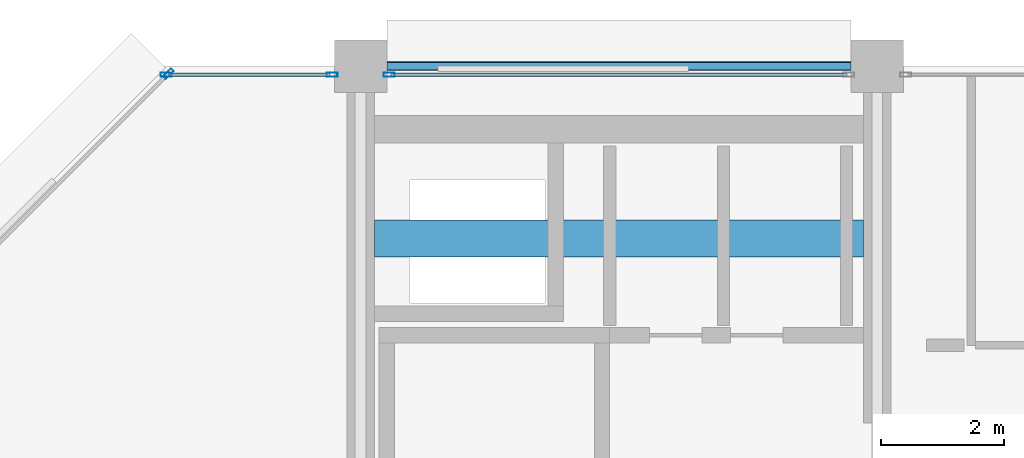
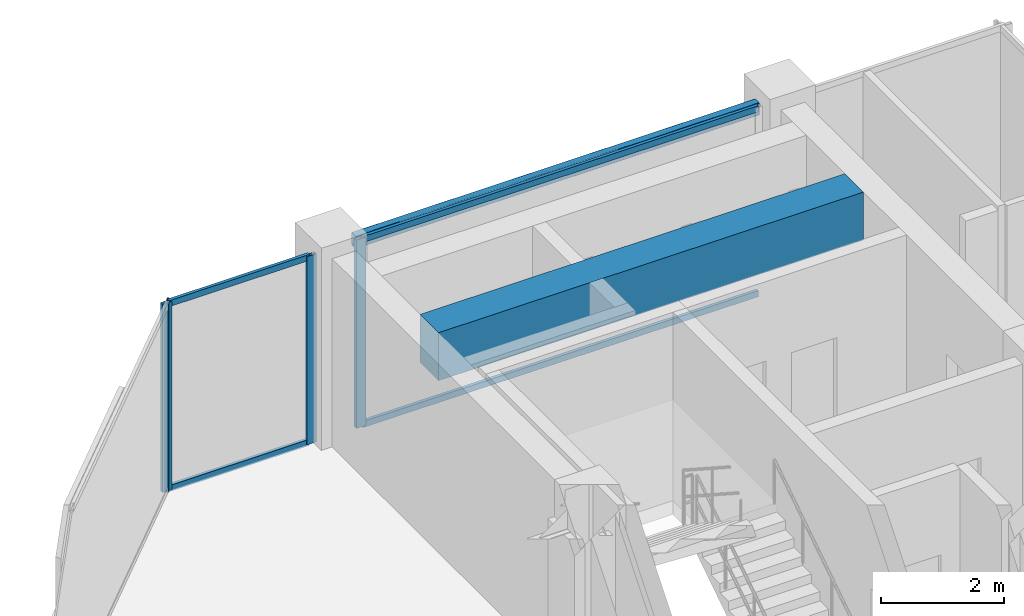
# One storey, part 18 of 27: 8 members, 2 beams, 3 elements without a shape of their own.
"""IFC4 building model written with IfcOpenShell, lengths in metres."""

from ifc_helpers import new_model, si_unit, direction, frame, origin, origin_2d, place, context, subcontext, project, spatial, rectangle, hollow_rectangle, extrude, material, layer, layer_set, material_profile, profile_set, type_object, element, aggregate, save


model = new_model("IFC4")

# Units and contexts
model_context = context("Model", 3, precision=1e-05, world=origin(), true_north=direction((0.0, 1.0)))
body_context = subcontext(model_context, "Body", "Model", "MODEL_VIEW")
ifc_project = project(units=[si_unit("LENGTHUNIT", "METRE"), si_unit("AREAUNIT", "SQUARE_METRE"), si_unit("VOLUMEUNIT", "CUBIC_METRE"), si_unit("PLANEANGLEUNIT", "RADIAN"), si_unit("MASSUNIT", "GRAM", prefix="KILO")], contexts=[model_context])

# Site, building, storey
site_placement = place(None, origin())
site = spatial("IfcSite", under=ifc_project, at=site_placement, CompositionType="ELEMENT")
building_placement = place(site_placement, origin())
building = spatial("IfcBuilding", under=site, at=building_placement, Name="Nerrivon Quay Data Exchange", CompositionType="ELEMENT")
storey_placement = place(building_placement, frame((0.0, 0.0, 254.199951171875)))
storey = spatial("IfcBuildingStorey", under=building, at=storey_placement, Name="L60", CompositionType="ELEMENT", Elevation=254.199951171875)

# Beams
ifc_material_1 = material(Name="Concrete N50 (50 MPa)", Category="concrete")
ifc_material_profile_1 = material_profile(ifc_material_1, rectangle(XDim=0.60009765625, YDim=0.949951171875, at=origin_2d()), Name="RC-CB-600x950")
ifc_profile_set_1 = profile_set([ifc_material_profile_1], Name="Concrete N50 (50 MPa)")
beam_type_1 = type_object("IfcBeamType", Name="BM-CB2-600x950", PredefinedType="LINTEL", material=ifc_profile_set_1)
beam_1_placement = place(storey_placement, frame((8.625, 39.199951171875, 3.25), z_axis=(1.0, 0.0, 0.0), x_axis=(0.0, 1.0, 0.0)))
element("IfcBeam", 1, at=beam_1_placement, inside=storey, type_object=beam_type_1, Name="L60 West Core Coupling Beam", PredefinedType="LINTEL", context=body_context, shape_type="SweptSolid", body=[
    extrude(rectangle(XDim=0.60009765625, YDim=0.949951171875, at=origin_2d()), origin(), (0.0, 0.0, 1.0), 7.949951171875),
])
ifc_material_2 = material(Name="Steel Grade C350L0 (350 MPa)", Category="steel")
ifc_material_profile_2 = material_profile(ifc_material_2, hollow_rectangle(XDim=0.14990234375, YDim=0.25, WallThickness=0.009033203125, InnerFilletRadius=0.013427734375, OuterFilletRadius=0.0224609375, at=origin_2d()), Name="250x150x9.0RHS")
ifc_profile_set_2 = profile_set([ifc_material_profile_2], Name="Steel Grade C350L0 (350 MPa)")
beam_type_2 = type_object("IfcBeamType", Name="BM-SP4-250x150RHS", PredefinedType="SPANDREL", material=ifc_profile_set_2)
beam_2_placement = place(storey_placement, frame((8.824951171875, 42.0, 3.60009765625), z_axis=(1.0, 0.0, 0.0), x_axis=(0.0, 1.0, 0.0)))
element("IfcBeam", 2, at=beam_2_placement, inside=storey, type_object=beam_type_2, Name="L60 EW Girder Y=42.0 (8.4..16.8)", PredefinedType="SPANDREL", context=body_context, shape_type="SweptSolid", body=[
    extrude(hollow_rectangle(XDim=0.14990234375, YDim=0.25, WallThickness=0.009033203125, InnerFilletRadius=0.013427734375, OuterFilletRadius=0.0224609375, at=origin_2d()), origin(), (0.0, 0.0, 1.0), 7.550048828125),
])

# Curtain wall, member
ifc_material_3 = material(Name="Anodised aluminium 6063-T6", Category="aluminium")
ifc_layer = layer(ifc_material_3, 0.195068359375)
ifc_layer_set = layer_set([ifc_layer], Name="Anodised aluminium 6063-T6")
curtain_wall_type = type_object("IfcCurtainWallType", Name="CW-SYS-06", PredefinedType="NOTDEFINED", material=ifc_layer_set)
curtain_wall_1_placement = place(storey_placement, origin())
curtain_wall_1 = element("IfcCurtainWall", 3, at=curtain_wall_1_placement, inside=storey, type_object=curtain_wall_type, Name="L60 Unitised Curtain Wall 16", PredefinedType="NOTDEFINED")
ifc_material_profile_3 = material_profile(ifc_material_3, hollow_rectangle(XDim=0.06494140625, YDim=0.179931640625, WallThickness=0.00341796875, at=origin_2d()), Name="ALU-MULL-180x65")
ifc_profile_set_3 = profile_set([ifc_material_profile_3], Name="Anodised aluminium 6063-T6")
member_type_1 = type_object("IfcMemberType", Name="CWM-180x65", PredefinedType="MULLION", material=ifc_profile_set_3)
member_1_placement = place(storey_placement, frame((5.2724609375, 41.87451171875, 0.0), z_axis=(0.0, 0.0, 1.0), x_axis=(-0.707106781187, 0.707106781187, 0.0)))
member_1 = element("IfcMember", 4, at=member_1_placement, type_object=member_type_1, Name="CW06 mullion 2", PredefinedType="MULLION", context=body_context, shape_type="SweptSolid", body=[
    extrude(hollow_rectangle(XDim=0.06494140625, YDim=0.179931640625, WallThickness=0.00341796875, at=origin_2d()), origin(), (0.0, 0.0, 1.0), 3.72509765625),
])
aggregate(curtain_wall_1, [member_1])

# Curtain wall, members
curtain_wall_2_placement = place(storey_placement, origin())
curtain_wall_2 = element("IfcCurtainWall", 5, at=curtain_wall_2_placement, inside=storey, type_object=curtain_wall_type, Name="L60 Unitised Curtain Wall 17", PredefinedType="NOTDEFINED")
member_2_placement = place(storey_placement, frame((5.237548828125, 41.860107421875, 0.0), z_axis=(0.0, 0.0, 1.0), x_axis=(0.0, 1.0, 0.0)))
member_2 = element("IfcMember", 6, at=member_2_placement, type_object=member_type_1, Name="CW06 mullion 1", PredefinedType="MULLION", context=body_context, shape_type="SweptSolid", body=[
    extrude(hollow_rectangle(XDim=0.06494140625, YDim=0.179931640625, WallThickness=0.00341796875, at=origin_2d()), origin(), (0.0, 0.0, 1.0), 3.72509765625),
])
member_3_placement = place(storey_placement, frame((7.9375, 41.860107421875, 0.0), z_axis=(0.0, 0.0, 1.0), x_axis=(0.0, 1.0, 0.0)))
member_3 = element("IfcMember", 7, at=member_3_placement, type_object=member_type_1, Name="CW06 mullion 2", PredefinedType="MULLION", context=body_context, shape_type="SweptSolid", body=[
    extrude(hollow_rectangle(XDim=0.06494140625, YDim=0.179931640625, WallThickness=0.00341796875, at=origin_2d()), origin(), (0.0, 0.0, 1.0), 3.72509765625),
])

# Curtain wall, member
curtain_wall_3_placement = place(storey_placement, origin())
curtain_wall_3 = element("IfcCurtainWall", 8, at=curtain_wall_3_placement, inside=storey, type_object=curtain_wall_type, Name="L60 Unitised Curtain Wall 18", PredefinedType="NOTDEFINED")
member_4_placement = place(storey_placement, frame((8.862548828125, 41.860107421875, 0.0), z_axis=(0.0, 0.0, 1.0), x_axis=(0.0, 1.0, 0.0)))
member_4 = element("IfcMember", 9, at=member_4_placement, type_object=member_type_1, Name="CW06 mullion 1", PredefinedType="MULLION", context=body_context, shape_type="SweptSolid", body=[
    extrude(hollow_rectangle(XDim=0.06494140625, YDim=0.179931640625, WallThickness=0.00341796875, at=origin_2d()), origin(), (0.0, 0.0, 1.0), 3.72509765625),
])

# Member
ifc_material_profile_4 = material_profile(ifc_material_3, hollow_rectangle(XDim=0.06005859375, YDim=0.1201171875, WallThickness=0.003173828125, at=origin_2d()), Name="ALU-TRAN-120x60")
ifc_profile_set_4 = profile_set([ifc_material_profile_4], Name="Anodised aluminium 6063-T6")
member_type_2 = type_object("IfcMemberType", Name="CWT-120x60", PredefinedType="USERDEFINED", material=ifc_profile_set_4)
member_5_placement = place(storey_placement, frame((5.27490234375, 41.860107421875, 0.032470703125), z_axis=(1.0, 0.0, 0.0), x_axis=(0.0, 1.0, 0.0)))
member_5 = element("IfcMember", 10, at=member_5_placement, type_object=member_type_2, Name="CW06 transom 1.1", ObjectType="TRANSOM", PredefinedType="USERDEFINED", context=body_context, shape_type="SweptSolid", body=[
    extrude(hollow_rectangle(XDim=0.06005859375, YDim=0.1201171875, WallThickness=0.003173828125, at=origin_2d()), origin(), (0.0, 0.0, 1.0), 2.625),
])

member_6_placement = place(storey_placement, frame((5.27490234375, 41.860107421875, 3.692626953125), z_axis=(1.0, 0.0, 0.0), x_axis=(0.0, 1.0, 0.0)))
member_6 = element("IfcMember", 11, at=member_6_placement, type_object=member_type_2, Name="CW06 transom 1.2", ObjectType="TRANSOM", PredefinedType="USERDEFINED", context=body_context, shape_type="SweptSolid", body=[
    extrude(hollow_rectangle(XDim=0.06005859375, YDim=0.1201171875, WallThickness=0.003173828125, at=origin_2d()), origin(), (0.0, 0.0, 1.0), 2.625),
])

aggregate(curtain_wall_2, [member_2, member_3, member_5, member_6])

member_7_placement = place(storey_placement, frame((8.89990234375, 41.860107421875, 0.032470703125), z_axis=(1.0, 0.0, 0.0), x_axis=(0.0, 1.0, 0.0)))
member_7 = element("IfcMember", 12, at=member_7_placement, type_object=member_type_2, Name="CW06 transom 1.1", ObjectType="TRANSOM", PredefinedType="USERDEFINED", context=body_context, shape_type="SweptSolid", body=[
    extrude(hollow_rectangle(XDim=0.06005859375, YDim=0.1201171875, WallThickness=0.003173828125, at=origin_2d()), origin(), (0.0, 0.0, 1.0), 7.400146484375),
])

member_8_placement = place(storey_placement, frame((8.89990234375, 41.860107421875, 3.692626953125), z_axis=(1.0, 0.0, 0.0), x_axis=(0.0, 1.0, 0.0)))
member_8 = element("IfcMember", 13, at=member_8_placement, type_object=member_type_2, Name="CW06 transom 1.2", ObjectType="TRANSOM", PredefinedType="USERDEFINED", context=body_context, shape_type="SweptSolid", body=[
    extrude(hollow_rectangle(XDim=0.06005859375, YDim=0.1201171875, WallThickness=0.003173828125, at=origin_2d()), origin(), (0.0, 0.0, 1.0), 7.400146484375),
])

aggregate(curtain_wall_3, [member_4, member_7, member_8])

save(model, "model.ifc")
